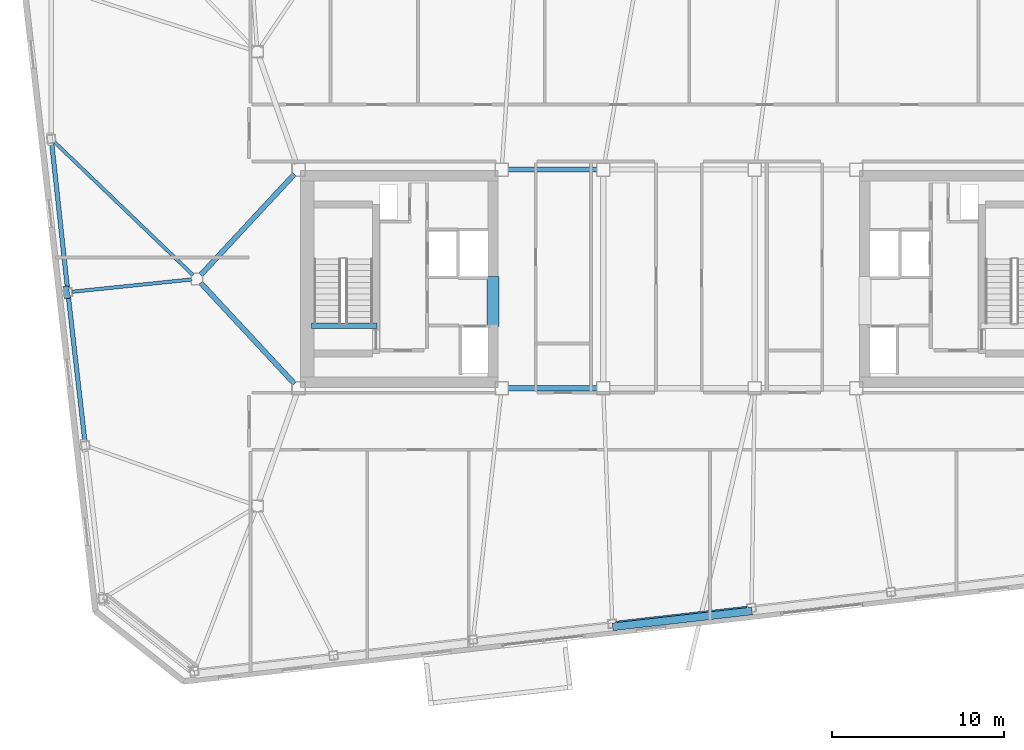
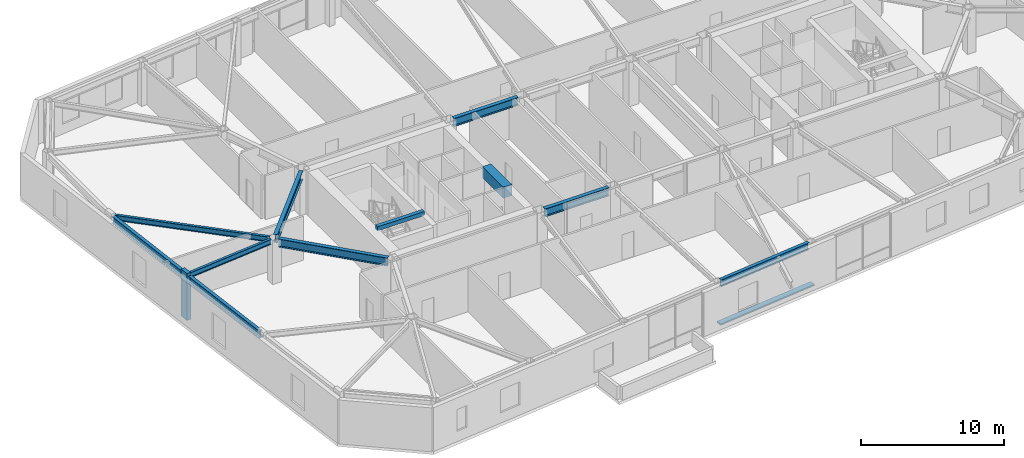
# One storey, part 5 of 18: 11 beams, 2 members.
"""IFC4 building model written with IfcOpenShell, lengths in metres."""

from ifc_helpers import new_model, si_unit, direction, frame, origin, origin_2d, place, context, subcontext, project, spatial, rectangle, i_section, extrude, material, material_profile, profile_set, type_object, element, save


model = new_model("IFC4")

# Units and contexts
model_context = context("Model", 3, precision=1e-05, world=origin(), true_north=direction((0.0, 1.0)))
body_context = subcontext(model_context, "Body", "Model", "MODEL_VIEW")
ifc_project = project(units=[si_unit("LENGTHUNIT", "METRE"), si_unit("AREAUNIT", "SQUARE_METRE"), si_unit("VOLUMEUNIT", "CUBIC_METRE"), si_unit("PLANEANGLEUNIT", "RADIAN"), si_unit("MASSUNIT", "GRAM", prefix="KILO")], contexts=[model_context])

# Site, building, storey
site_placement = place(None, origin())
site = spatial("IfcSite", under=ifc_project, at=site_placement, CompositionType="ELEMENT")
building_placement = place(site_placement, origin())
building = spatial("IfcBuilding", under=site, at=building_placement, Name="Tavrogorsk Clinical Tower", CompositionType="ELEMENT")
storey_placement = place(building_placement, frame((0.0, 0.0, 230.199951171875)))
storey = spatial("IfcBuildingStorey", under=building, at=storey_placement, Name="L53", CompositionType="ELEMENT", Elevation=230.199951171875)

# Member
ifc_material_1 = material(Name="Anodised aluminium alloy AW-6063", Category="aluminium")
ifc_material_profile_1 = material_profile(ifc_material_1, rectangle(XDim=0.449951171875, YDim=0.1201171875, at=origin_2d()), Name="ALU-SUNSHADE-450x120")
ifc_profile_set_1 = profile_set([ifc_material_profile_1], Name="Anodised aluminium alloy AW-6063")
member_type_1 = type_object("IfcMemberType", Name="ChicagoSunshade_450x120", PredefinedType="USERDEFINED", material=ifc_profile_set_1)
member_1_placement = place(storey_placement, frame((-3.855712890625, -20.214111328125, 0.179931640625), z_axis=(0.99356960656, 0.11322295227, 0.0), x_axis=(-0.11322295227, 0.99356960656, 0.0)))
element("IfcMember", 1, at=member_1_placement, inside=storey, type_object=member_type_1, Name="L53 South Aluminium Sunshade S4", ObjectType="SUNSHADE", PredefinedType="USERDEFINED", context=body_context, shape_type="SweptSolid", body=[
    extrude(rectangle(XDim=0.449951171875, YDim=0.1201171875, at=origin_2d()), origin(), (0.0, 0.0, 1.0), 8.148681640625),
])

# Beams
ifc_material_2 = material(Name="Concrete B80", Category="concrete")
ifc_material_profile_2 = material_profile(ifc_material_2, rectangle(XDim=0.699951171875, YDim=0.949951171875, at=origin_2d()), Name="RC-CB-700x950")
ifc_profile_set_2 = profile_set([ifc_material_profile_2], Name="Concrete B80")
beam_type_1 = type_object("IfcBeamType", Name="CouplingBeam_RC700x950", PredefinedType="LINTEL", material=ifc_profile_set_2)
beam_1_placement = place(storey_placement, frame((-10.800048828125, -2.75, 3.26513671875), z_axis=(0.0, 1.0, 0.0), x_axis=(-1.0, 0.0, 0.0)))
element("IfcBeam", 2, at=beam_1_placement, inside=storey, type_object=beam_type_1, Name="L53 Core West Coupling Beam", PredefinedType="LINTEL", context=body_context, shape_type="SweptSolid", body=[
    extrude(rectangle(XDim=0.699951171875, YDim=0.949951171875, at=origin_2d()), origin(), (0.0, 0.0, 1.0), 2.89990234375),
])
ifc_material_3 = material(Name="Structural steel S355", Category="steel")
ifc_material_profile_3 = material_profile(ifc_material_3, i_section(OverallWidth=0.199951171875, OverallDepth=0.449951171875, WebThickness=0.011474609375, FlangeThickness=0.01806640625, at=origin_2d()), Name="B-450x200x11.5x18")
ifc_profile_set_3 = profile_set([ifc_material_profile_3], Name="Structural steel S355")
beam_type_2 = type_object("IfcBeamType", Name="FloorBeam_B450", PredefinedType="BEAM", material=ifc_profile_set_3)
beam_2_placement = place(storey_placement, frame((-28.2236328125, 0.214599609375, 3.51513671875), z_axis=(-0.721413519982, 0.692504536582, 0.0), x_axis=(-0.692504536582, -0.721413519982, 0.0)))
element("IfcBeam", 3, at=beam_2_placement, inside=storey, type_object=beam_type_2, Name="L53 Radial Floor Beam W2", PredefinedType="BEAM", context=body_context, shape_type="SweptSolid", body=[
    extrude(i_section(OverallWidth=0.199951171875, OverallDepth=0.449951171875, WebThickness=0.011474609375, FlangeThickness=0.01806640625, at=origin_2d()), origin(), (0.0, 0.0, 1.0), 11.1728515625),
])
beam_3_placement = place(storey_placement, frame((-28.308349609375, -0.03173828125, 3.51513671875), z_axis=(-0.994752624307, -0.102309415177, 0.0), x_axis=(0.102309415177, -0.994752624307, 0.0)))
element("IfcBeam", 4, at=beam_3_placement, inside=storey, type_object=beam_type_2, Name="L53 Radial Floor Beam W3", PredefinedType="BEAM", context=body_context, shape_type="SweptSolid", body=[
    extrude(i_section(OverallWidth=0.199951171875, OverallDepth=0.449951171875, WebThickness=0.011474609375, FlangeThickness=0.01806640625, at=origin_2d()), origin(), (0.0, 0.0, 1.0), 6.9775390625),
])

# Member
ifc_material_4 = material(Name="Precast concrete B45 with limestone cladding", Category="masonry")
ifc_material_profile_4 = material_profile(ifc_material_4, rectangle(XDim=0.320068359375, YDim=0.719970703125, at=origin_2d()), Name="LIMESTONE-FIN-320x720")
ifc_profile_set_4 = profile_set([ifc_material_profile_4], Name="Precast concrete B45 with limestone cladding")
member_type_2 = type_object("IfcMemberType", Name="LimestonePleatFin_320x720", PredefinedType="USERDEFINED", material=ifc_profile_set_4)
member_2_placement = place(storey_placement, frame((-35.585205078125, -0.781005859375, 0.0), z_axis=(0.0, 0.0, 1.0), x_axis=(0.993571855677, 0.113203213768, 0.0)))
element("IfcMember", 5, at=member_2_placement, inside=storey, type_object=member_type_2, Name="L53 W Pleated Stone Fin 2", ObjectType="FIN", PredefinedType="USERDEFINED", context=body_context, shape_type="SweptSolid", body=[
    extrude(rectangle(XDim=0.320068359375, YDim=0.719970703125, at=origin_2d()), origin(), (0.0, 0.0, 1.0), 4.0),
])

# Beams
ifc_material_5 = material(Name="Structural steel S390", Category="steel")
ifc_material_profile_5 = material_profile(ifc_material_5, i_section(OverallWidth=0.300048828125, OverallDepth=0.699951171875, WebThickness=0.01708984375, FlangeThickness=0.028076171875, at=origin_2d()), Name="B-700x300x17x28")
ifc_profile_set_5 = profile_set([ifc_material_profile_5], Name="Structural steel S390")
beam_type_3 = type_object("IfcBeamType", Name="PrimaryGirder_B700", PredefinedType="USERDEFINED", material=ifc_profile_set_5)
for number, where, z_axis, x_axis, name in (
    (6, (-9.93994140625, -6.35009765625, 3.39013671875), (1.0, 0.0, 0.0), (0.0, 1.0, 0.0), "L53 Primary Spine Girder MG-01"),
    (7, (-9.93994140625, 6.35009765625, 3.39013671875), (1.0, 0.0, 0.0), (0.0, 1.0, 0.0), "L53 Primary Spine Girder MG-02"),
):
    element("IfcBeam", number, at=place(storey_placement, frame(where, z_axis=z_axis, x_axis=x_axis)), inside=storey, type_object=beam_type_3, Name=name, ObjectType="GIRDER", PredefinedType="USERDEFINED", context=body_context, shape_type="SweptSolid", body=[
        extrude(i_section(OverallWidth=0.300048828125, OverallDepth=0.699951171875, WebThickness=0.01708984375, FlangeThickness=0.028076171875, at=origin_2d()), origin(), (0.0, 0.0, 1.0), 5.179931640625),
    ])
for number, where, z_axis, x_axis, name in (
    (8, (-27.7890625, -0.22705078125, 3.39013671875), (0.680684060959, -0.732577101168, 0.0), (0.732577101168, 0.680684060959, 0.0), "L53 Spine Link Girder OPG-5"),
    (9, (-27.7890625, 0.22705078125, 3.39013671875), (0.680684060959, 0.732577101168, 0.0), (-0.732577101168, 0.680684060959, 0.0), "L53 Spine Link Girder OPG-6"),
):
    element("IfcBeam", number, at=place(storey_placement, frame(where, z_axis=z_axis, x_axis=x_axis)), inside=storey, type_object=beam_type_3, Name=name, ObjectType="GIRDER", PredefinedType="USERDEFINED", context=body_context, shape_type="SweptSolid", body=[
        extrude(i_section(OverallWidth=0.300048828125, OverallDepth=0.699951171875, WebThickness=0.01708984375, FlangeThickness=0.028076171875, at=origin_2d()), origin(), (0.0, 0.0, 1.0), 7.998046875),
    ])
ifc_material_6 = material(Name="Structural steel S390", Category="steel")
ifc_material_profile_6 = material_profile(ifc_material_6, i_section(OverallWidth=0.260009765625, OverallDepth=0.60009765625, WebThickness=0.014892578125, FlangeThickness=0.02392578125, at=origin_2d()), Name="B-600x260x15x24")
ifc_profile_set_6 = profile_set([ifc_material_profile_6], Name="Structural steel S390")
beam_type_4 = type_object("IfcBeamType", Name="SpandrelBeam_B600", PredefinedType="SPANDREL", material=ifc_profile_set_6)
beam_4_placement = place(storey_placement, frame((-3.619873046875, -20.006103515625, 3.43994140625), z_axis=(0.993568911788, 0.113229048956, 0.0), x_axis=(-0.113229048956, 0.993568911788, 0.0)))
element("IfcBeam", 10, at=beam_4_placement, inside=storey, type_object=beam_type_4, Name="L53 Perimeter Spandrel S4-S5", PredefinedType="SPANDREL", context=body_context, shape_type="SweptSolid", body=[
    extrude(i_section(OverallWidth=0.260009765625, OverallDepth=0.60009765625, WebThickness=0.014892578125, FlangeThickness=0.02392578125, at=origin_2d()), origin(), (0.0, 0.0, 1.0), 7.6328125),
])
beam_5_placement = place(storey_placement, frame((-36.442138671875, 7.8740234375, 3.43994140625), z_axis=(0.107655746314, -0.994188231818, 0.0), x_axis=(0.994188231818, 0.107655746314, 0.0)))
element("IfcBeam", 11, at=beam_5_placement, inside=storey, type_object=beam_type_4, Name="L53 Perimeter Spandrel W2-W3", PredefinedType="SPANDREL", context=body_context, shape_type="SweptSolid", body=[
    extrude(i_section(OverallWidth=0.260009765625, OverallDepth=0.60009765625, WebThickness=0.014892578125, FlangeThickness=0.02392578125, at=origin_2d()), origin(), (0.0, 0.0, 1.0), 8.4384765625),
])
beam_6_placement = place(storey_placement, frame((-35.4765625, -1.0283203125, 3.43994140625), z_axis=(0.113195129234, -0.99357277676, 0.0), x_axis=(0.99357277676, 0.113195129234, 0.0)))
element("IfcBeam", 12, at=beam_6_placement, inside=storey, type_object=beam_type_4, Name="L53 Perimeter Spandrel W3-W4", PredefinedType="SPANDREL", context=body_context, shape_type="SweptSolid", body=[
    extrude(i_section(OverallWidth=0.260009765625, OverallDepth=0.60009765625, WebThickness=0.014892578125, FlangeThickness=0.02392578125, at=origin_2d()), origin(), (0.0, 0.0, 1.0), 8.44384765625),
])
ifc_material_7 = material(Name="Concrete B60", Category="concrete")
ifc_material_profile_7 = material_profile(ifc_material_7, rectangle(XDim=0.300048828125, YDim=0.35009765625, at=origin_2d()), Name="RC-SHB-300x350")
ifc_profile_set_7 = profile_set([ifc_material_profile_7], Name="Concrete B60")
beam_type_5 = type_object("IfcBeamType", Name="StairHeaderBeam_RC300x350", PredefinedType="BEAM", material=ifc_profile_set_7)
beam_7_placement = place(storey_placement, frame((-21.35009765625, -2.719970703125, 3.824951171875), z_axis=(1.0, 0.0, 0.0), x_axis=(0.0, 1.0, 0.0)))
element("IfcBeam", 13, at=beam_7_placement, inside=storey, type_object=beam_type_5, Name="L54 ST-W Landing Header Beam", PredefinedType="BEAM", context=body_context, shape_type="SweptSolid", body=[
    extrude(rectangle(XDim=0.300048828125, YDim=0.35009765625, at=origin_2d()), origin(), (0.0, 0.0, 1.0), 3.800048828125),
])

save(model, "model.ifc")
